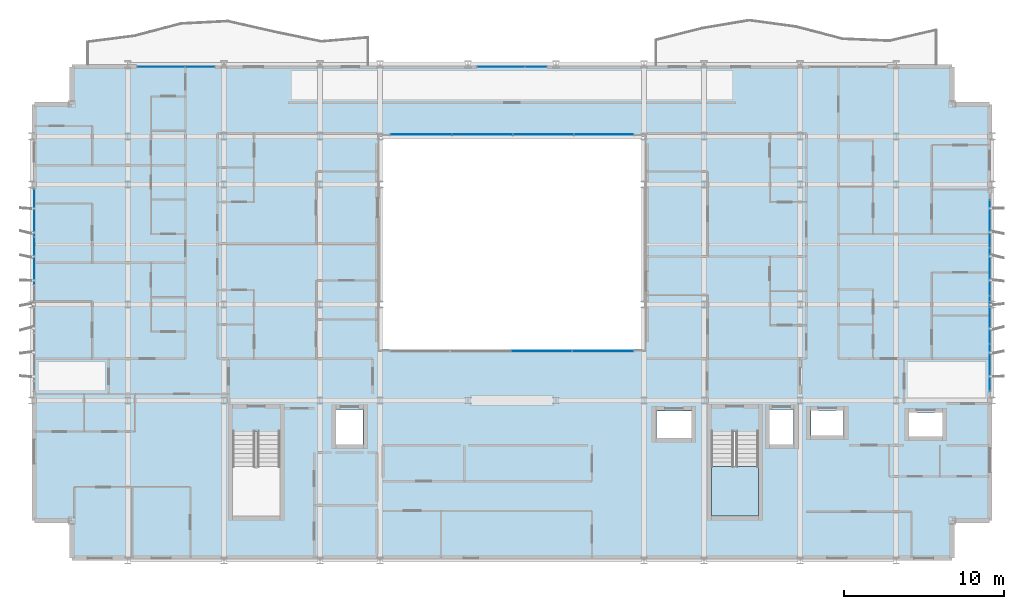
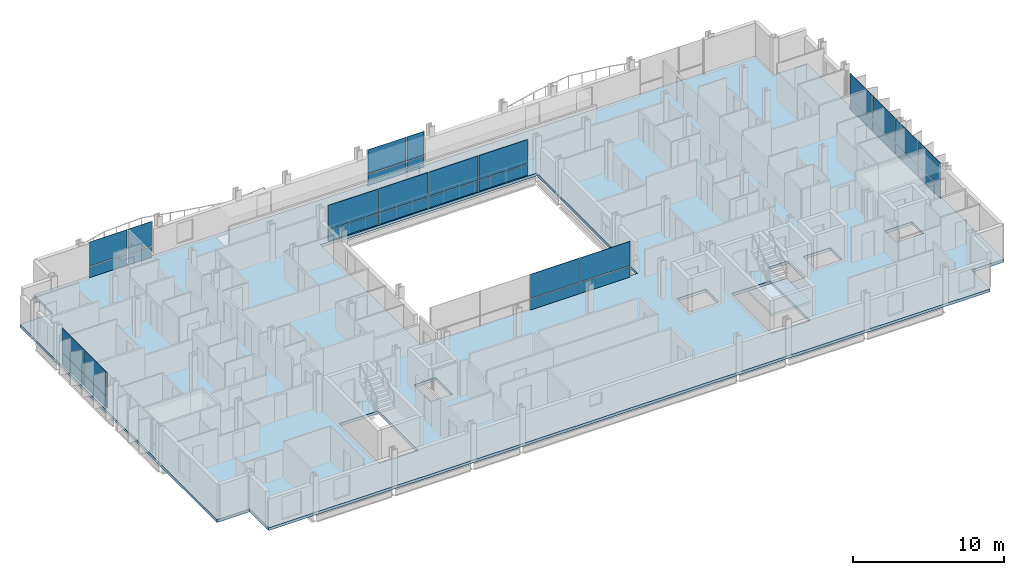
# One storey, part 23 of 39: 32 plates, 2 slabs, 7 elements without a shape of their own.
"""IFC4 building model written with IfcOpenShell, lengths in metres."""

from ifc_helpers import new_model, si_unit, direction, frame, origin, origin_2d, place, context, subcontext, project, spatial, polyline, rectangle, outline, extrude, material, layer, layer_set, type_object, element, aggregate, save


model = new_model("IFC4")

# Units and contexts
model_context = context("Model", 3, precision=1e-05, world=origin(), true_north=direction((0.0, 1.0)))
body_context = subcontext(model_context, "Body", "Model", "MODEL_VIEW")
ifc_project = project(units=[si_unit("LENGTHUNIT", "METRE"), si_unit("AREAUNIT", "SQUARE_METRE"), si_unit("VOLUMEUNIT", "CUBIC_METRE"), si_unit("PLANEANGLEUNIT", "RADIAN"), si_unit("MASSUNIT", "GRAM", prefix="KILO")], contexts=[model_context])

# Site, building, storey
site_placement = place(None, origin())
site = spatial("IfcSite", under=ifc_project, at=site_placement, CompositionType="ELEMENT")
building_placement = place(site_placement, origin())
building = spatial("IfcBuilding", under=site, at=building_placement, Name="Brevholm Reach", CompositionType="ELEMENT")
storey_placement = place(building_placement, frame((0.0, 0.0, 90.0)))
storey = spatial("IfcBuildingStorey", under=building, at=storey_placement, Name="L26", CompositionType="ELEMENT", Elevation=90.0)

# Curtain wall, plates
ifc_material_1 = material(Name="Dark Anodised Aluminium 6063-T6 and Solar-Control Glass", Category="aluminium")
ifc_layer_1 = layer(ifc_material_1, 0.14990234375)
ifc_layer_set_1 = layer_set([ifc_layer_1], Name="Dark Anodised Aluminium 6063-T6 and Solar-Control Glass")
curtain_wall_type_1 = type_object("IfcCurtainWallType", Name="CW-01", PredefinedType="NOTDEFINED", material=ifc_layer_set_1)
curtain_wall_1_placement = place(storey_placement, origin())
curtain_wall_1 = element("IfcCurtainWall", 1, at=curtain_wall_1_placement, inside=storey, type_object=curtain_wall_type_1, Name="L26 Curtain Wall CW-01", PredefinedType="NOTDEFINED")
ifc_material_2 = material(Name="Dark Solar-Control Double-Glazed IGU Glass", Category="glass")
ifc_layer_2 = layer(ifc_material_2, 0.028076171875)
ifc_layer_set_2 = layer_set([ifc_layer_2], Name="Dark Solar-Control Double-Glazed IGU Glass")
plate_type_1 = type_object("IfcPlateType", Name="CWP-GLZ-28", PredefinedType="CURTAIN_PANEL", material=ifc_layer_set_2)
plate_1_placement = place(storey_placement, frame((0.14990234375, 21.703857421875, 0.0), z_axis=(0.0, 0.0, 1.0), x_axis=(0.0, -1.0, 0.0)))
plate_1 = element("IfcPlate", 2, at=plate_1_placement, type_object=plate_type_1, Name="CP-01 Glazing Panel 1.1", PredefinedType="CURTAIN_PANEL", context=body_context, shape_type="SweptSolid", body=[
    extrude(rectangle(XDim=2.902587890625, YDim=0.028076171875, at=origin_2d()), origin(), (0.0, 0.0, 1.0), 0.867431640625),
])
plate_2_placement = place(storey_placement, frame((0.14990234375, 21.703857421875, 0.9326171875), z_axis=(0.0, 0.0, 1.0), x_axis=(0.0, -1.0, 0.0)))
plate_2 = element("IfcPlate", 3, at=plate_2_placement, type_object=plate_type_1, Name="CP-01 Glazing Panel 1.2", PredefinedType="CURTAIN_PANEL", context=body_context, shape_type="SweptSolid", body=[
    extrude(rectangle(XDim=2.902587890625, YDim=0.028076171875, at=origin_2d()), origin(), (0.0, 0.0, 1.0), 1.9375),
])
plate_3_placement = place(storey_placement, frame((0.14990234375, 18.719970703125, 0.0), z_axis=(0.0, 0.0, 1.0), x_axis=(0.0, -1.0, 0.0)))
plate_3 = element("IfcPlate", 4, at=plate_3_placement, type_object=plate_type_1, Name="CP-01 Glazing Panel 2.1", PredefinedType="CURTAIN_PANEL", context=body_context, shape_type="SweptSolid", body=[
    extrude(rectangle(XDim=2.93505859375, YDim=0.028076171875, at=origin_2d()), origin(), (0.0, 0.0, 1.0), 0.867431640625),
])
plate_4_placement = place(storey_placement, frame((0.14990234375, 18.719970703125, 0.9326171875), z_axis=(0.0, 0.0, 1.0), x_axis=(0.0, -1.0, 0.0)))
plate_4 = element("IfcPlate", 5, at=plate_4_placement, type_object=plate_type_1, Name="CP-01 Glazing Panel 2.2", PredefinedType="CURTAIN_PANEL", context=body_context, shape_type="SweptSolid", body=[
    extrude(rectangle(XDim=2.93505859375, YDim=0.028076171875, at=origin_2d()), origin(), (0.0, 0.0, 1.0), 1.9375),
])
aggregate(curtain_wall_1, [plate_1, plate_2, plate_3, plate_4])

curtain_wall_2_placement = place(storey_placement, origin())
curtain_wall_2 = element("IfcCurtainWall", 6, at=curtain_wall_2_placement, inside=storey, type_object=curtain_wall_type_1, Name="L26 Curtain Wall CW-01", PredefinedType="NOTDEFINED")
plate_5_placement = place(storey_placement, frame((59.85009765625, 12.066162109375, 0.0), z_axis=(0.0, 0.0, 1.0), x_axis=(0.0, 1.0, 0.0)))
plate_5 = element("IfcPlate", 7, at=plate_5_placement, type_object=plate_type_1, Name="CP-01 Glazing Panel 1.1", PredefinedType="CURTAIN_PANEL", context=body_context, shape_type="SweptSolid", body=[
    extrude(rectangle(XDim=2.902587890625, YDim=0.028076171875, at=origin_2d()), origin(), (0.0, 0.0, 1.0), 0.867431640625),
])
plate_6_placement = place(storey_placement, frame((59.85009765625, 12.066162109375, 0.9326171875), z_axis=(0.0, 0.0, 1.0), x_axis=(0.0, 1.0, 0.0)))
plate_6 = element("IfcPlate", 8, at=plate_6_placement, type_object=plate_type_1, Name="CP-01 Glazing Panel 1.2", PredefinedType="CURTAIN_PANEL", context=body_context, shape_type="SweptSolid", body=[
    extrude(rectangle(XDim=2.902587890625, YDim=0.028076171875, at=origin_2d()), origin(), (0.0, 0.0, 1.0), 1.9375),
])
plate_7_placement = place(storey_placement, frame((59.85009765625, 15.050048828125, 0.0), z_axis=(0.0, 0.0, 1.0), x_axis=(0.0, 1.0, 0.0)))
plate_7 = element("IfcPlate", 9, at=plate_7_placement, type_object=plate_type_1, Name="CP-01 Glazing Panel 2.1", PredefinedType="CURTAIN_PANEL", context=body_context, shape_type="SweptSolid", body=[
    extrude(rectangle(XDim=2.93505859375, YDim=0.028076171875, at=origin_2d()), origin(), (0.0, 0.0, 1.0), 0.867431640625),
])
plate_8_placement = place(storey_placement, frame((59.85009765625, 15.050048828125, 0.9326171875), z_axis=(0.0, 0.0, 1.0), x_axis=(0.0, 1.0, 0.0)))
plate_8 = element("IfcPlate", 10, at=plate_8_placement, type_object=plate_type_1, Name="CP-01 Glazing Panel 2.2", PredefinedType="CURTAIN_PANEL", context=body_context, shape_type="SweptSolid", body=[
    extrude(rectangle(XDim=2.93505859375, YDim=0.028076171875, at=origin_2d()), origin(), (0.0, 0.0, 1.0), 1.9375),
])
plate_9_placement = place(storey_placement, frame((59.85009765625, 18.050048828125, 0.0), z_axis=(0.0, 0.0, 1.0), x_axis=(0.0, 1.0, 0.0)))
plate_9 = element("IfcPlate", 11, at=plate_9_placement, type_object=plate_type_1, Name="CP-01 Glazing Panel 3.1", PredefinedType="CURTAIN_PANEL", context=body_context, shape_type="SweptSolid", body=[
    extrude(rectangle(XDim=2.93505859375, YDim=0.028076171875, at=origin_2d()), origin(), (0.0, 0.0, 1.0), 0.867431640625),
])
plate_10_placement = place(storey_placement, frame((59.85009765625, 18.050048828125, 0.9326171875), z_axis=(0.0, 0.0, 1.0), x_axis=(0.0, 1.0, 0.0)))
plate_10 = element("IfcPlate", 12, at=plate_10_placement, type_object=plate_type_1, Name="CP-01 Glazing Panel 3.2", PredefinedType="CURTAIN_PANEL", context=body_context, shape_type="SweptSolid", body=[
    extrude(rectangle(XDim=2.93505859375, YDim=0.028076171875, at=origin_2d()), origin(), (0.0, 0.0, 1.0), 1.9375),
])
plate_11_placement = place(storey_placement, frame((59.85009765625, 21.050048828125, 0.0), z_axis=(0.0, 0.0, 1.0), x_axis=(0.0, 1.0, 0.0)))
plate_11 = element("IfcPlate", 13, at=plate_11_placement, type_object=plate_type_1, Name="CP-01 Glazing Panel 4.1", PredefinedType="CURTAIN_PANEL", context=body_context, shape_type="SweptSolid", body=[
    extrude(rectangle(XDim=2.93505859375, YDim=0.028076171875, at=origin_2d()), origin(), (0.0, 0.0, 1.0), 0.867431640625),
])
plate_12_placement = place(storey_placement, frame((59.85009765625, 21.050048828125, 0.9326171875), z_axis=(0.0, 0.0, 1.0), x_axis=(0.0, 1.0, 0.0)))
plate_12 = element("IfcPlate", 14, at=plate_12_placement, type_object=plate_type_1, Name="CP-01 Glazing Panel 4.2", PredefinedType="CURTAIN_PANEL", context=body_context, shape_type="SweptSolid", body=[
    extrude(rectangle(XDim=2.93505859375, YDim=0.028076171875, at=origin_2d()), origin(), (0.0, 0.0, 1.0), 1.9375),
])
aggregate(curtain_wall_2, [plate_5, plate_6, plate_7, plate_8, plate_9, plate_10, plate_11, plate_12])

curtain_wall_3_placement = place(storey_placement, origin())
curtain_wall_3 = element("IfcCurtainWall", 15, at=curtain_wall_3_placement, inside=storey, type_object=curtain_wall_type_1, Name="L26 Curtain Wall CW-01", PredefinedType="NOTDEFINED")
plate_13_placement = place(storey_placement, frame((8.066162109375, 30.85009765625, 0.0), z_axis=(0.0, 0.0, 1.0), x_axis=(1.0, 0.0, 0.0)))
plate_13 = element("IfcPlate", 16, at=plate_13_placement, type_object=plate_type_1, Name="CP-01 Glazing Panel 1.1", PredefinedType="CURTAIN_PANEL", context=body_context, shape_type="SweptSolid", body=[
    extrude(rectangle(XDim=2.902587890625, YDim=0.028076171875, at=origin_2d()), origin(), (0.0, 0.0, 1.0), 0.867431640625),
])
plate_14_placement = place(storey_placement, frame((8.066162109375, 30.85009765625, 0.9326171875), z_axis=(0.0, 0.0, 1.0), x_axis=(1.0, 0.0, 0.0)))
plate_14 = element("IfcPlate", 17, at=plate_14_placement, type_object=plate_type_1, Name="CP-01 Glazing Panel 1.2", PredefinedType="CURTAIN_PANEL", context=body_context, shape_type="SweptSolid", body=[
    extrude(rectangle(XDim=2.902587890625, YDim=0.028076171875, at=origin_2d()), origin(), (0.0, 0.0, 1.0), 1.9375),
])
plate_15_placement = place(storey_placement, frame((10.483642578125, 30.85009765625, 0.0), z_axis=(0.0, 0.0, 1.0), x_axis=(1.0, 0.0, 0.0)))
plate_15 = element("IfcPlate", 18, at=plate_15_placement, type_object=plate_type_1, Name="CP-01 Glazing Panel 2.1", PredefinedType="CURTAIN_PANEL", context=body_context, shape_type="SweptSolid", body=[
    extrude(rectangle(XDim=1.802490234375, YDim=0.028076171875, at=origin_2d()), origin(), (0.0, 0.0, 1.0), 0.867431640625),
])
plate_16_placement = place(storey_placement, frame((10.483642578125, 30.85009765625, 0.9326171875), z_axis=(0.0, 0.0, 1.0), x_axis=(1.0, 0.0, 0.0)))
plate_16 = element("IfcPlate", 19, at=plate_16_placement, type_object=plate_type_1, Name="CP-01 Glazing Panel 2.2", PredefinedType="CURTAIN_PANEL", context=body_context, shape_type="SweptSolid", body=[
    extrude(rectangle(XDim=1.802490234375, YDim=0.028076171875, at=origin_2d()), origin(), (0.0, 0.0, 1.0), 1.9375),
])
aggregate(curtain_wall_3, [plate_13, plate_14, plate_15, plate_16])

curtain_wall_4_placement = place(storey_placement, origin())
curtain_wall_4 = element("IfcCurtainWall", 20, at=curtain_wall_4_placement, inside=storey, type_object=curtain_wall_type_1, Name="L26 Curtain Wall CW-01", PredefinedType="NOTDEFINED")
plate_17_placement = place(storey_placement, frame((29.316162109375, 30.85009765625, 0.0), z_axis=(0.0, 0.0, 1.0), x_axis=(1.0, 0.0, 0.0)))
plate_17 = element("IfcPlate", 21, at=plate_17_placement, type_object=plate_type_1, Name="CP-01 Glazing Panel 1.1", PredefinedType="CURTAIN_PANEL", context=body_context, shape_type="SweptSolid", body=[
    extrude(rectangle(XDim=2.902587890625, YDim=0.028076171875, at=origin_2d()), origin(), (0.0, 0.0, 1.0), 0.867431640625),
])
plate_18_placement = place(storey_placement, frame((29.316162109375, 30.85009765625, 0.9326171875), z_axis=(0.0, 0.0, 1.0), x_axis=(1.0, 0.0, 0.0)))
plate_18 = element("IfcPlate", 22, at=plate_18_placement, type_object=plate_type_1, Name="CP-01 Glazing Panel 1.2", PredefinedType="CURTAIN_PANEL", context=body_context, shape_type="SweptSolid", body=[
    extrude(rectangle(XDim=2.902587890625, YDim=0.028076171875, at=origin_2d()), origin(), (0.0, 0.0, 1.0), 1.9375),
])
plate_19_placement = place(storey_placement, frame((31.483642578125, 30.85009765625, 0.0), z_axis=(0.0, 0.0, 1.0), x_axis=(1.0, 0.0, 0.0)))
plate_19 = element("IfcPlate", 23, at=plate_19_placement, type_object=plate_type_1, Name="CP-01 Glazing Panel 2.1", PredefinedType="CURTAIN_PANEL", context=body_context, shape_type="SweptSolid", body=[
    extrude(rectangle(XDim=1.302490234375, YDim=0.028076171875, at=origin_2d()), origin(), (0.0, 0.0, 1.0), 0.867431640625),
])
plate_20_placement = place(storey_placement, frame((31.483642578125, 30.85009765625, 0.9326171875), z_axis=(0.0, 0.0, 1.0), x_axis=(1.0, 0.0, 0.0)))
plate_20 = element("IfcPlate", 24, at=plate_20_placement, type_object=plate_type_1, Name="CP-01 Glazing Panel 2.2", PredefinedType="CURTAIN_PANEL", context=body_context, shape_type="SweptSolid", body=[
    extrude(rectangle(XDim=1.302490234375, YDim=0.028076171875, at=origin_2d()), origin(), (0.0, 0.0, 1.0), 1.9375),
])
aggregate(curtain_wall_4, [plate_17, plate_18, plate_19, plate_20])

ifc_material_3 = material(Name="Dark Anodised Aluminium 6063-T6 and Solar-Control Glass", Category="aluminium")
ifc_layer_3 = layer(ifc_material_3, 0.139892578125)
ifc_layer_set_3 = layer_set([ifc_layer_3], Name="Dark Anodised Aluminium 6063-T6 and Solar-Control Glass")
curtain_wall_type_2 = type_object("IfcCurtainWallType", Name="CW-02", PredefinedType="NOTDEFINED", material=ifc_layer_set_3)
curtain_wall_5_placement = place(storey_placement, origin())
curtain_wall_5 = element("IfcCurtainWall", 25, at=curtain_wall_5_placement, inside=storey, type_object=curtain_wall_type_2, Name="L26 Curtain Wall CW-02", PredefinedType="NOTDEFINED")
ifc_material_4 = material(Name="Low-Iron Laminated Acoustic Glass", Category="glass")
ifc_layer_4 = layer(ifc_material_4, 0.035888671875)
ifc_layer_set_4 = layer_set([ifc_layer_4], Name="Low-Iron Laminated Acoustic Glass")
plate_type_2 = type_object("IfcPlateType", Name="CWP-GLZ-36", PredefinedType="CURTAIN_PANEL", material=ifc_layer_set_4)
plate_21_placement = place(storey_placement, frame((31.85009765625, 13.080078125, 0.0), z_axis=(0.0, 0.0, 1.0), x_axis=(1.0, 0.0, 0.0)))
plate_21 = element("IfcPlate", 26, at=plate_21_placement, type_object=plate_type_2, Name="CP-02 Glazing Panel 3.1", PredefinedType="CURTAIN_PANEL", context=body_context, shape_type="SweptSolid", body=[
    extrude(rectangle(XDim=3.739990234375, YDim=0.035888671875, at=origin_2d()), origin(), (0.0, 0.0, 1.0), 0.8701171875),
])
plate_22_placement = place(storey_placement, frame((31.85009765625, 13.080078125, 0.929931640625), z_axis=(0.0, 0.0, 1.0), x_axis=(1.0, 0.0, 0.0)))
plate_22 = element("IfcPlate", 27, at=plate_22_placement, type_object=plate_type_2, Name="CP-02 Glazing Panel 3.2", PredefinedType="CURTAIN_PANEL", context=body_context, shape_type="SweptSolid", body=[
    extrude(rectangle(XDim=3.739990234375, YDim=0.035888671875, at=origin_2d()), origin(), (0.0, 0.0, 1.0), 1.93994140625),
])
plate_23_placement = place(storey_placement, frame((35.68505859375, 13.080078125, 0.0), z_axis=(0.0, 0.0, 1.0), x_axis=(1.0, 0.0, 0.0)))
plate_23 = element("IfcPlate", 28, at=plate_23_placement, type_object=plate_type_2, Name="CP-02 Glazing Panel 4.1", PredefinedType="CURTAIN_PANEL", context=body_context, shape_type="SweptSolid", body=[
    extrude(rectangle(XDim=3.81005859375, YDim=0.035888671875, at=origin_2d()), origin(), (0.0, 0.0, 1.0), 0.8701171875),
])
plate_24_placement = place(storey_placement, frame((35.68505859375, 13.080078125, 0.929931640625), z_axis=(0.0, 0.0, 1.0), x_axis=(1.0, 0.0, 0.0)))
plate_24 = element("IfcPlate", 29, at=plate_24_placement, type_object=plate_type_2, Name="CP-02 Glazing Panel 4.2", PredefinedType="CURTAIN_PANEL", context=body_context, shape_type="SweptSolid", body=[
    extrude(rectangle(XDim=3.81005859375, YDim=0.035888671875, at=origin_2d()), origin(), (0.0, 0.0, 1.0), 1.93994140625),
])
aggregate(curtain_wall_5, [plate_21, plate_22, plate_23, plate_24])

curtain_wall_6_placement = place(storey_placement, origin())
curtain_wall_6 = element("IfcCurtainWall", 30, at=curtain_wall_6_placement, inside=storey, type_object=curtain_wall_type_2, Name="L26 Curtain Wall CW-02", PredefinedType="NOTDEFINED")
plate_25_placement = place(storey_placement, frame((35.735107421875, 26.6201171875, 0.0), z_axis=(0.0, 0.0, 1.0), x_axis=(-1.0, 0.0, 0.0)))
plate_25 = element("IfcPlate", 31, at=plate_25_placement, type_object=plate_type_2, Name="CP-02 Glazing Panel 1.1", PredefinedType="CURTAIN_PANEL", context=body_context, shape_type="SweptSolid", body=[
    extrude(rectangle(XDim=3.7099609375, YDim=0.035888671875, at=origin_2d()), origin(), (0.0, 0.0, 1.0), 0.8701171875),
])
plate_26_placement = place(storey_placement, frame((35.735107421875, 26.6201171875, 0.929931640625), z_axis=(0.0, 0.0, 1.0), x_axis=(-1.0, 0.0, 0.0)))
plate_26 = element("IfcPlate", 32, at=plate_26_placement, type_object=plate_type_2, Name="CP-02 Glazing Panel 1.2", PredefinedType="CURTAIN_PANEL", context=body_context, shape_type="SweptSolid", body=[
    extrude(rectangle(XDim=3.7099609375, YDim=0.035888671875, at=origin_2d()), origin(), (0.0, 0.0, 1.0), 1.93994140625),
])
plate_27_placement = place(storey_placement, frame((31.949951171875, 26.6201171875, 0.0), z_axis=(0.0, 0.0, 1.0), x_axis=(-1.0, 0.0, 0.0)))
plate_27 = element("IfcPlate", 33, at=plate_27_placement, type_object=plate_type_2, Name="CP-02 Glazing Panel 2.1", PredefinedType="CURTAIN_PANEL", context=body_context, shape_type="SweptSolid", body=[
    extrude(rectangle(XDim=3.739990234375, YDim=0.035888671875, at=origin_2d()), origin(), (0.0, 0.0, 1.0), 0.8701171875),
])
plate_28_placement = place(storey_placement, frame((31.949951171875, 26.6201171875, 0.929931640625), z_axis=(0.0, 0.0, 1.0), x_axis=(-1.0, 0.0, 0.0)))
plate_28 = element("IfcPlate", 34, at=plate_28_placement, type_object=plate_type_2, Name="CP-02 Glazing Panel 2.2", PredefinedType="CURTAIN_PANEL", context=body_context, shape_type="SweptSolid", body=[
    extrude(rectangle(XDim=3.739990234375, YDim=0.035888671875, at=origin_2d()), origin(), (0.0, 0.0, 1.0), 1.93994140625),
])
plate_29_placement = place(storey_placement, frame((28.14990234375, 26.6201171875, 0.0), z_axis=(0.0, 0.0, 1.0), x_axis=(-1.0, 0.0, 0.0)))
plate_29 = element("IfcPlate", 35, at=plate_29_placement, type_object=plate_type_2, Name="CP-02 Glazing Panel 3.1", PredefinedType="CURTAIN_PANEL", context=body_context, shape_type="SweptSolid", body=[
    extrude(rectangle(XDim=3.739990234375, YDim=0.035888671875, at=origin_2d()), origin(), (0.0, 0.0, 1.0), 0.8701171875),
])
plate_30_placement = place(storey_placement, frame((28.14990234375, 26.6201171875, 0.929931640625), z_axis=(0.0, 0.0, 1.0), x_axis=(-1.0, 0.0, 0.0)))
plate_30 = element("IfcPlate", 36, at=plate_30_placement, type_object=plate_type_2, Name="CP-02 Glazing Panel 3.2", PredefinedType="CURTAIN_PANEL", context=body_context, shape_type="SweptSolid", body=[
    extrude(rectangle(XDim=3.739990234375, YDim=0.035888671875, at=origin_2d()), origin(), (0.0, 0.0, 1.0), 1.93994140625),
])
plate_31_placement = place(storey_placement, frame((24.31494140625, 26.6201171875, 0.0), z_axis=(0.0, 0.0, 1.0), x_axis=(-1.0, 0.0, 0.0)))
plate_31 = element("IfcPlate", 37, at=plate_31_placement, type_object=plate_type_2, Name="CP-02 Glazing Panel 4.1", PredefinedType="CURTAIN_PANEL", context=body_context, shape_type="SweptSolid", body=[
    extrude(rectangle(XDim=3.81005859375, YDim=0.035888671875, at=origin_2d()), origin(), (0.0, 0.0, 1.0), 0.8701171875),
])
plate_32_placement = place(storey_placement, frame((24.31494140625, 26.6201171875, 0.929931640625), z_axis=(0.0, 0.0, 1.0), x_axis=(-1.0, 0.0, 0.0)))
plate_32 = element("IfcPlate", 38, at=plate_32_placement, type_object=plate_type_2, Name="CP-02 Glazing Panel 4.2", PredefinedType="CURTAIN_PANEL", context=body_context, shape_type="SweptSolid", body=[
    extrude(rectangle(XDim=3.81005859375, YDim=0.035888671875, at=origin_2d()), origin(), (0.0, 0.0, 1.0), 1.93994140625),
])
aggregate(curtain_wall_6, [plate_25, plate_26, plate_27, plate_28, plate_29, plate_30, plate_31, plate_32])

# Slab
ifc_material_5 = material(Name="Concrete C40/50", Category="concrete")
ifc_layer_5 = layer(ifc_material_5, 0.22998046875)
ifc_layer_set_5 = layer_set([ifc_layer_5], Name="Concrete C40/50")
slab_type_1 = type_object("IfcSlabType", Name="SLB-FL-230", PredefinedType="FLOOR", material=ifc_layer_set_5)
slab_1_placement = place(storey_placement, frame((0.0, 0.0, -0.22998046875)))
element("IfcSlab", 39, at=slab_1_placement, inside=storey, type_object=slab_type_1, Name="L26 Suspended Floor Slab (main)", PredefinedType="FLOOR", context=body_context, shape_type="SweptSolid", body=[
    extrude(outline(polyline([(2.5, 0.0), (57.5, 0.0), (57.5, 2.5), (60.0, 2.5), (60.0, 28.5), (57.5, 28.5), (57.5, 31.0), (2.5, 31.0), (2.5, 28.5), (0.0, 28.5), (0.0, 2.5), (2.5, 2.5), (2.5, 0.0)]), holes=[polyline([(21.75, 13.199951171875), (38.25, 13.199951171875), (38.25, 26.5), (21.75, 26.5), (21.75, 13.199951171875)]), polyline([(12.550048828125, 2.780029296875), (15.5, 2.780029296875), (15.5, 8.044921875), (12.550048828125, 8.044921875), (12.550048828125, 2.780029296875)]), polyline([(42.449951171875, 2.780029296875), (45.39990234375, 2.780029296875), (45.39990234375, 8.044921875), (42.449951171875, 8.044921875), (42.449951171875, 2.780029296875)]), polyline([(19.0, 7.25), (20.699951171875, 7.25), (20.699951171875, 9.449951171875), (19.0, 9.449951171875), (19.0, 7.25)]), polyline([(46.10009765625, 7.25), (47.60009765625, 7.25), (47.60009765625, 9.449951171875), (46.10009765625, 9.449951171875), (46.10009765625, 7.25)]), polyline([(48.675048828125, 7.824951171875), (50.72509765625, 7.824951171875), (50.72509765625, 9.375), (48.675048828125, 9.375), (48.675048828125, 7.824951171875)]), polyline([(54.800048828125, 7.75), (56.89990234375, 7.75), (56.89990234375, 9.25), (54.800048828125, 9.25), (54.800048828125, 7.75)]), polyline([(39.02001953125, 7.64990234375), (41.219970703125, 7.64990234375), (41.219970703125, 9.35009765625), (39.02001953125, 9.35009765625), (39.02001953125, 7.64990234375)])]), origin(), (0.0, 0.0, 1.0), 0.22998046875),
])

# Stair, slab
ifc_material_6 = material(Name="Precast Concrete C40/50", Category="concrete")
stair_type = type_object("IfcStairType", Name="STR-ESC-1400", PredefinedType="DOUBLE_RETURN_STAIR", material=ifc_material_6)
stair_placement = place(storey_placement, origin())
stair = element("IfcStair", 40, at=stair_placement, inside=storey, type_object=stair_type, Name="L26 ST-2", PredefinedType="DOUBLE_RETURN_STAIR")
ifc_material_7 = material(Name="Concrete C40/50", Category="concrete")
ifc_layer_6 = layer(ifc_material_7, 0.199951171875)
ifc_layer_set_6 = layer_set([ifc_layer_6], Name="Concrete C40/50")
slab_type_2 = type_object("IfcSlabType", Name="SLB-LND-200", PredefinedType="LANDING", material=ifc_layer_set_6)
slab_2_placement = place(storey_placement, frame((0.0, 0.0, 1.35009765625)))
slab_2 = element("IfcSlab", 41, at=slab_2_placement, type_object=slab_type_2, Name="ST-2 landing 1", PredefinedType="LANDING", context=body_context, shape_type="SweptSolid", body=[
    extrude(outline(polyline([(42.449951171875, 5.860107421875), (42.449951171875, 2.780029296875), (45.39990234375, 2.780029296875), (45.39990234375, 5.860107421875), (42.449951171875, 5.860107421875)])), origin(), (0.0, 0.0, 1.0), 0.199951171875),
])
aggregate(stair, [slab_2])

save(model, "model.ifc")
